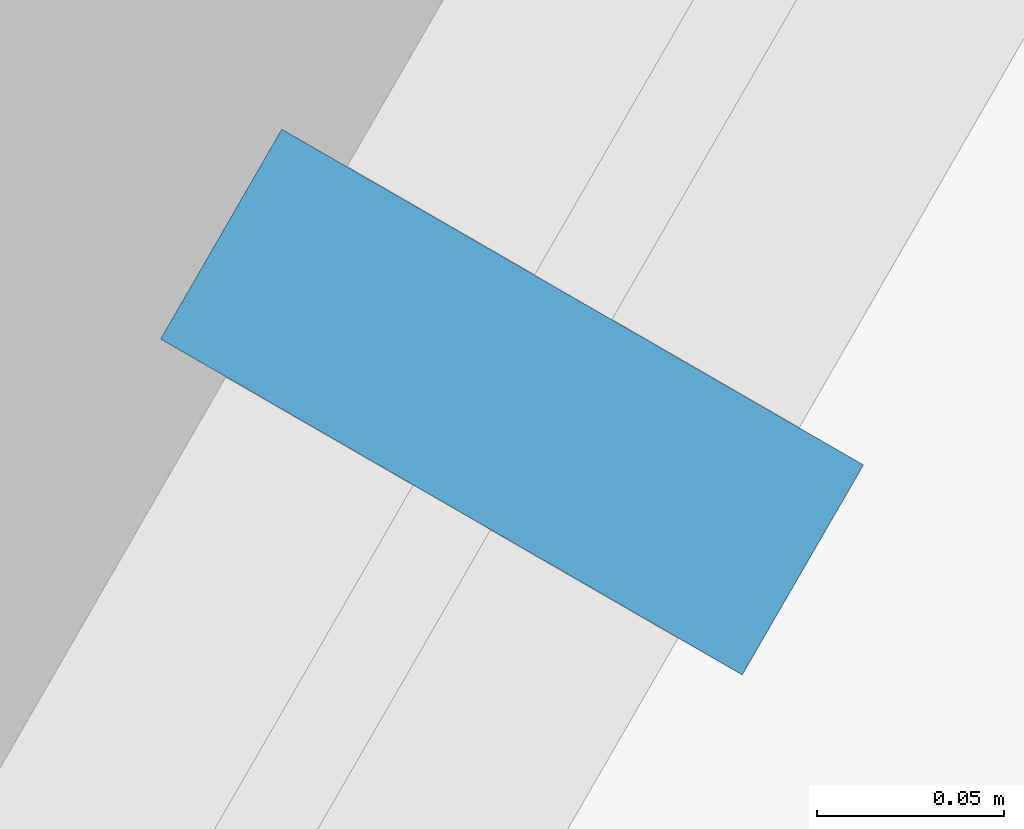
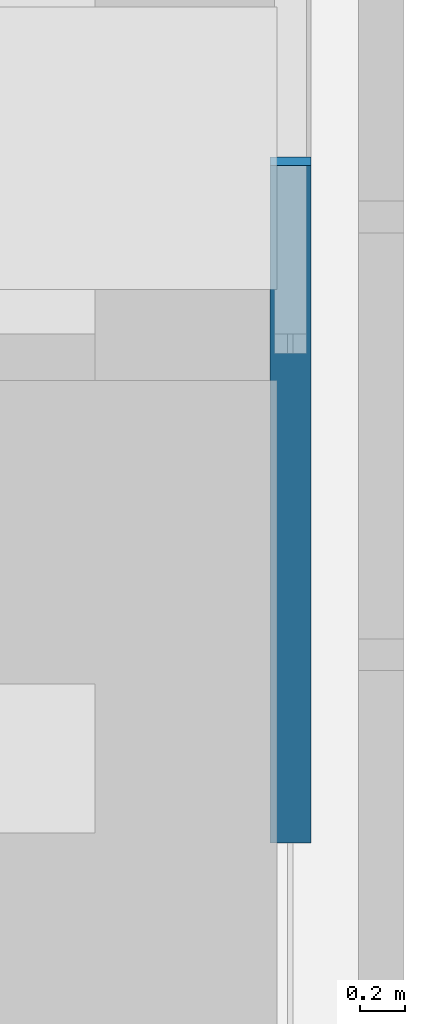
# One storey, part 118 of 256: 1 member, 1 element without a shape of its own.
"""IFC4 building model written with IfcOpenShell, lengths in metres."""

from ifc_helpers import new_model, si_unit, direction, frame, origin, origin_2d, place, context, subcontext, project, spatial, rectangle, extrude, material, material_profile, profile_set, type_object, element, aggregate, save


model = new_model("IFC4")

# Units and contexts
model_context = context("Model", 3, precision=1e-05, world=origin(), true_north=direction((0.0, 1.0)))
body_context = subcontext(model_context, "Body", "Model", "MODEL_VIEW")
ifc_project = project(units=[si_unit("LENGTHUNIT", "METRE"), si_unit("AREAUNIT", "SQUARE_METRE"), si_unit("VOLUMEUNIT", "CUBIC_METRE"), si_unit("PLANEANGLEUNIT", "RADIAN"), si_unit("MASSUNIT", "GRAM", prefix="KILO")], contexts=[model_context])

# Site, building, storey
site_placement = place(None, origin())
site = spatial("IfcSite", under=ifc_project, at=site_placement, CompositionType="ELEMENT")
building_placement = place(site_placement, origin())
building = spatial("IfcBuilding", under=site, at=building_placement, Name="Sandreach Pilgrim Tower", CompositionType="ELEMENT")
storey_placement = place(building_placement, frame((0.0, 0.0, 23.0)))
storey = spatial("IfcBuildingStorey", under=building, at=storey_placement, Name="L04", CompositionType="ELEMENT", Elevation=23.0)

# Curtain wall, member
ifc_material_1 = material(Name="Aluminium framed curtain wall", Category="aluminium")
curtain_wall_type = type_object("IfcCurtainWallType", Name="Hostel tower curtain wall", PredefinedType="NOTDEFINED", material=ifc_material_1)
curtain_wall_placement = place(storey_placement, origin())
curtain_wall = element("IfcCurtainWall", 1, at=curtain_wall_placement, inside=storey, type_object=curtain_wall_type, Name="CW-1 L04 SE", PredefinedType="NOTDEFINED")
ifc_material_2 = material(Name="Aluminium extrusion", Category="aluminium")
ifc_material_profile = material_profile(ifc_material_2, rectangle(XDim=0.06494140625, YDim=0.179931640625, at=origin_2d()), Name="CW-1M 65X180")
ifc_profile_set = profile_set([ifc_material_profile], Name="Aluminium extrusion")
member_type = type_object("IfcMemberType", Name="CW-1 mullion", PredefinedType="MULLION", material=ifc_profile_set)
member_placement = place(storey_placement, frame((24.018798828125, -6.29541015625, 0.0), z_axis=(0.0, 0.0, 1.0), x_axis=(-0.5, -0.866025403784, 0.0)))
member = element("IfcMember", 2, at=member_placement, type_object=member_type, Name="CW-1 mullion 4", PredefinedType="MULLION", context=body_context, shape_type="SweptSolid", body=[
    extrude(rectangle(XDim=0.06494140625, YDim=0.179931640625, at=origin_2d()), origin(), (0.0, 0.0, 1.0), 3.639892578125),
])
aggregate(curtain_wall, [member])

save(model, "model.ifc")
